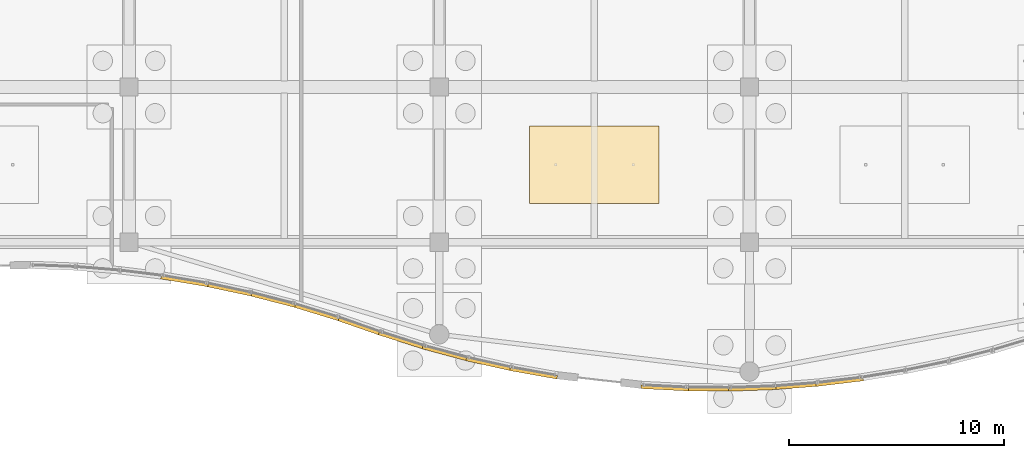
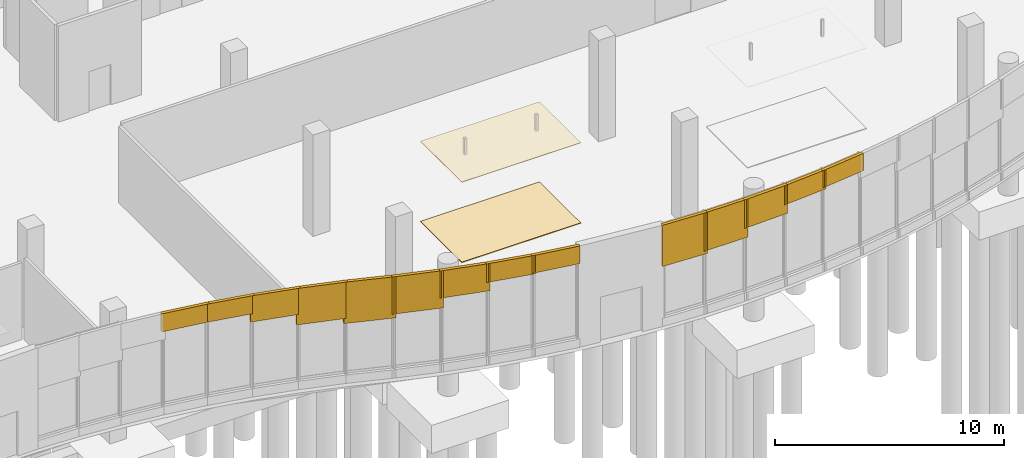
# One storey, part 172 of 192: 16 coverings.
"""IFC4 building model written with IfcOpenShell, lengths in metres."""

from ifc_helpers import new_model, si_unit, direction, frame, origin, place, context, subcontext, project, spatial, polyline, outline, extrude, material, layer, layer_set, type_object, element, save


model = new_model("IFC4")

# Units and contexts
model_context = context("Model", 3, precision=1e-05, world=origin(), true_north=direction((0.0, 1.0)))
body_context = subcontext(model_context, "Body", "Model", "MODEL_VIEW")
ifc_project = project(units=[si_unit("LENGTHUNIT", "METRE"), si_unit("AREAUNIT", "SQUARE_METRE"), si_unit("VOLUMEUNIT", "CUBIC_METRE"), si_unit("PLANEANGLEUNIT", "RADIAN"), si_unit("MASSUNIT", "GRAM", prefix="KILO")], contexts=[model_context])

# Site, building, storey
site_placement = place(None, origin())
site = spatial("IfcSite", under=ifc_project, at=site_placement, CompositionType="ELEMENT")
building_placement = place(site_placement, origin())
building = spatial("IfcBuilding", under=site, at=building_placement, Name="Cendralis Lancet Convention Centre", CompositionType="ELEMENT")
storey_placement = place(building_placement, origin())
storey = spatial("IfcBuildingStorey", under=building, at=storey_placement, Name="L00", CompositionType="ELEMENT", Elevation=0.0)

# Coverings
ifc_material_1 = material(Name="Warm buff sandstone chevron cassette", Category="masonry")
ifc_layer_1 = layer(ifc_material_1, 0.06005859375, Name="Warm buff sandstone chevron cassette")
ifc_layer_set_1 = layer_set([ifc_layer_1], Name="Warm buff sandstone chevron cassette")
covering_type_1 = type_object("IfcCoveringType", Name="ARC-CV-CLAD1", PredefinedType="CLADDING", material=ifc_layer_set_1)
covering_1_placement = place(storey_placement, frame((0.0, 0.0, 4.43896484375)))
element("IfcCovering", 1, at=covering_1_placement, inside=storey, type_object=covering_type_1, Name="South Wave Stone Spandrel Fascia WP-016-WP-017", PredefinedType="CLADDING", context=body_context, shape_type="SweptSolid", body=[
    extrude(outline(polyline([(30.26611328125, 5.495361328125), (32.459716796875, 5.12841796875), (32.486083984375, 5.2861328125), (30.29248046875, 5.653076171875), (30.26611328125, 5.495361328125)])), origin(), (0.0, 0.0, 1.0), 0.9609375),
])
covering_2_placement = place(storey_placement, frame((0.0, 0.0, 4.43798828125)))
element("IfcCovering", 2, at=covering_2_placement, inside=storey, type_object=covering_type_1, Name="South Wave Stone Spandrel Fascia WP-017-WP-018", PredefinedType="CLADDING", context=body_context, shape_type="SweptSolid", body=[
    extrude(outline(polyline([(32.28564453125, 5.161376953125), (34.476806640625, 4.696044921875), (34.510009765625, 4.8525390625), (32.31884765625, 5.31787109375), (32.28564453125, 5.161376953125)])), origin(), (0.0, 0.0, 1.0), 0.9619140625),
])
covering_3_placement = place(storey_placement, frame((0.0, 0.0, 4.007080078125)))
element("IfcCovering", 3, at=covering_3_placement, inside=storey, type_object=covering_type_1, Name="South Wave Stone Spandrel Fascia WP-018-WP-019", PredefinedType="CLADDING", context=body_context, shape_type="SweptSolid", body=[
    extrude(outline(polyline([(34.30419921875, 4.736572265625), (36.493896484375, 4.172119140625), (36.53369140625, 4.3271484375), (34.34423828125, 4.8916015625), (34.30419921875, 4.736572265625)])), origin(), (0.0, 0.0, 1.0), 1.392822265625),
])
covering_4_placement = place(storey_placement, frame((0.0, 0.0, 3.4609375)))
element("IfcCovering", 4, at=covering_4_placement, inside=storey, type_object=covering_type_1, Name="South Wave Stone Spandrel Fascia WP-019-WP-020", PredefinedType="CLADDING", context=body_context, shape_type="SweptSolid", body=[
    extrude(outline(polyline([(36.322998046875, 4.22021484375), (38.5107421875, 3.552490234375), (38.557373046875, 3.70556640625), (36.369873046875, 4.373291015625), (36.322998046875, 4.22021484375)])), origin(), (0.0, 0.0, 1.0), 1.93896484375),
])
covering_5_placement = place(storey_placement, frame((0.0, 0.0, 3.199951171875)))
element("IfcCovering", 5, at=covering_5_placement, inside=storey, type_object=covering_type_1, Name="South Wave Stone Spandrel Fascia WP-020-WP-021", PredefinedType="CLADDING", context=body_context, shape_type="SweptSolid", body=[
    extrude(outline(polyline([(38.343017578125, 3.607421875), (40.529541015625, 2.847412109375), (40.58203125, 2.998779296875), (38.3955078125, 3.758544921875), (38.343017578125, 3.607421875)])), origin(), (0.0, 0.0, 1.0), 2.199951171875),
])
covering_6_placement = place(storey_placement, frame((0.0, 0.0, 3.4130859375)))
element("IfcCovering", 6, at=covering_6_placement, inside=storey, type_object=covering_type_1, Name="South Wave Stone Spandrel Fascia WP-021-WP-022", PredefinedType="CLADDING", context=body_context, shape_type="SweptSolid", body=[
    extrude(outline(polyline([(40.37255859375, 2.899658203125), (42.5595703125, 2.205322265625), (42.60791015625, 2.35791015625), (40.4208984375, 3.05224609375), (40.37255859375, 2.899658203125)])), origin(), (0.0, 0.0, 1.0), 1.98681640625),
])
covering_7_placement = place(storey_placement, frame((0.0, 0.0, 3.947021484375)))
element("IfcCovering", 7, at=covering_7_placement, inside=storey, type_object=covering_type_1, Name="South Wave Stone Spandrel Fascia WP-022-WP-023", PredefinedType="CLADDING", context=body_context, shape_type="SweptSolid", body=[
    extrude(outline(polyline([(42.403564453125, 2.251220703125), (44.5927734375, 1.65966796875), (44.634521484375, 1.814208984375), (42.4453125, 2.405517578125), (42.403564453125, 2.251220703125)])), origin(), (0.0, 0.0, 1.0), 1.452880859375),
])
covering_8_placement = place(storey_placement, frame((0.0, 0.0, 4.408935546875)))
element("IfcCovering", 8, at=covering_8_placement, inside=storey, type_object=covering_type_1, Name="South Wave Stone Spandrel Fascia WP-023-WP-024", PredefinedType="CLADDING", context=body_context, shape_type="SweptSolid", body=[
    extrude(outline(polyline([(44.43505859375, 1.69873046875), (46.625732421875, 1.20849609375), (46.66064453125, 1.364501953125), (44.469970703125, 1.854736328125), (44.43505859375, 1.69873046875)])), origin(), (0.0, 0.0, 1.0), 0.990966796875),
])
covering_9_placement = place(storey_placement, frame((0.0, 0.0, 4.462890625)))
element("IfcCovering", 9, at=covering_9_placement, inside=storey, type_object=covering_type_1, Name="South Wave Stone Spandrel Fascia WP-024-WP-025", PredefinedType="CLADDING", context=body_context, shape_type="SweptSolid", body=[
    extrude(outline(polyline([(46.46630859375, 1.24072265625), (48.65966796875, 0.84765625), (48.68798828125, 1.005126953125), (46.494384765625, 1.398193359375), (46.46630859375, 1.24072265625)])), origin(), (0.0, 0.0, 1.0), 0.93701171875),
])
covering_10_placement = place(storey_placement, frame((0.0, 0.0, 3.2060546875)))
element("IfcCovering", 10, at=covering_10_placement, inside=storey, type_object=covering_type_1, Name="South Wave Stone Spandrel Fascia WP-027-WP-028", PredefinedType="CLADDING", context=body_context, shape_type="SweptSolid", body=[
    extrude(outline(polyline([(52.5625, 0.404296875), (54.75732421875, 0.294921875), (54.765380859375, 0.454833984375), (52.570556640625, 0.564208984375), (52.5625, 0.404296875)])), origin(), (0.0, 0.0, 1.0), 2.19384765625),
])
covering_11_placement = place(storey_placement, frame((0.0, 0.0, 3.368896484375)))
element("IfcCovering", 11, at=covering_11_placement, inside=storey, type_object=covering_type_1, Name="South Wave Stone Spandrel Fascia WP-028-WP-029", PredefinedType="CLADDING", context=body_context, shape_type="SweptSolid", body=[
    extrude(outline(polyline([(54.5947265625, 0.299560546875), (56.789794921875, 0.284423828125), (56.791015625, 0.4443359375), (54.595947265625, 0.459716796875), (54.5947265625, 0.299560546875)])), origin(), (0.0, 0.0, 1.0), 2.031005859375),
])
covering_12_placement = place(storey_placement, frame((0.0, 0.0, 3.883056640625)))
element("IfcCovering", 12, at=covering_12_placement, inside=storey, type_object=covering_type_1, Name="South Wave Stone Spandrel Fascia WP-029-WP-030", PredefinedType="CLADDING", context=body_context, shape_type="SweptSolid", body=[
    extrude(outline(polyline([(56.626953125, 0.2822265625), (58.82275390625, 0.35791015625), (58.817138671875, 0.517822265625), (56.621337890625, 0.442138671875), (56.626953125, 0.2822265625)])), origin(), (0.0, 0.0, 1.0), 1.516845703125),
])
covering_13_placement = place(storey_placement, frame((0.0, 0.0, 4.3740234375)))
element("IfcCovering", 13, at=covering_13_placement, inside=storey, type_object=covering_type_1, Name="South Wave Stone Spandrel Fascia WP-030-WP-031", PredefinedType="CLADDING", context=body_context, shape_type="SweptSolid", body=[
    extrude(outline(polyline([(58.660400390625, 0.34912109375), (60.854736328125, 0.51806640625), (60.842529296875, 0.677490234375), (58.648193359375, 0.508544921875), (58.660400390625, 0.34912109375)])), origin(), (0.0, 0.0, 1.0), 1.02587890625),
])
covering_14_placement = place(storey_placement, frame((0.0, 0.0, 4.48095703125)))
element("IfcCovering", 14, at=covering_14_placement, inside=storey, type_object=covering_type_1, Name="South Wave Stone Spandrel Fascia WP-031-WP-032", PredefinedType="CLADDING", context=body_context, shape_type="SweptSolid", body=[
    extrude(outline(polyline([(60.69287109375, 0.501953125), (62.88671875, 0.766357421875), (62.86767578125, 0.92529296875), (60.673828125, 0.660888671875), (60.69287109375, 0.501953125)])), origin(), (0.0, 0.0, 1.0), 0.9189453125),
])
ifc_material_2 = material(Name="Perforated acoustic mineral-wood ceiling", Category="wood")
ifc_layer_2 = layer(ifc_material_2, 0.030029296875, Name="Perforated acoustic mineral-wood ceiling")
ifc_layer_set_2 = layer_set([ifc_layer_2], Name="Perforated acoustic mineral-wood ceiling")
covering_type_2 = type_object("IfcCoveringType", Name="ARC-CV-CLG1", PredefinedType="CEILING", material=ifc_layer_set_2)
covering_15_placement = place(storey_placement, frame((0.0, 0.0, 4.27001953125)))
element("IfcCovering", 15, at=covering_15_placement, inside=storey, type_object=covering_type_2, Name="L00 Acoustic Suspended Ceiling CL-ACS #02", PredefinedType="CEILING", context=body_context, shape_type="SweptSolid", body=[
    extrude(outline(polyline([(47.39990234375, 9.0), (53.39990234375, 9.0), (53.39990234375, 12.60009765625), (47.39990234375, 12.60009765625), (47.39990234375, 9.0)])), origin(), (0.0, 0.0, 1.0), 0.030029296875),
])
ifc_material_3 = material(Name="Polished Andean granite terrazzo flooring", Category="masonry")
ifc_layer_3 = layer(ifc_material_3, 0.030029296875, Name="Polished Andean granite terrazzo flooring")
ifc_layer_set_3 = layer_set([ifc_layer_3], Name="Polished Andean granite terrazzo flooring")
covering_type_3 = type_object("IfcCoveringType", Name="ARC-CV-FLR1", PredefinedType="FLOORING", material=ifc_layer_set_3)
covering_16_placement = place(storey_placement, origin())
element("IfcCovering", 16, at=covering_16_placement, inside=storey, type_object=covering_type_3, Name="L00 Terrazzo Concourse Flooring FL-TRZ #02", PredefinedType="FLOORING", context=body_context, shape_type="SweptSolid", body=[
    extrude(outline(polyline([(47.39990234375, 9.0), (53.39990234375, 9.0), (53.39990234375, 12.60009765625), (47.39990234375, 12.60009765625), (47.39990234375, 9.0)])), origin(), (0.0, 0.0, 1.0), 0.030029296875),
])

save(model, "model.ifc")
